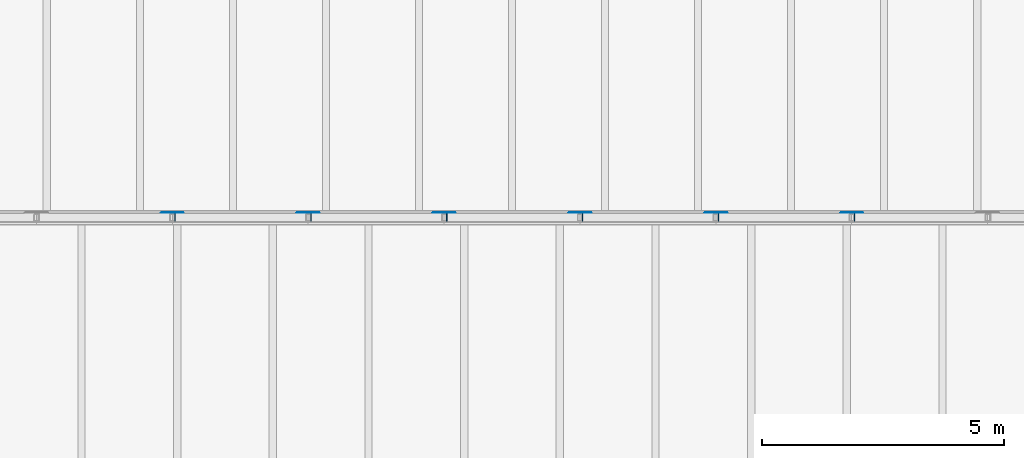
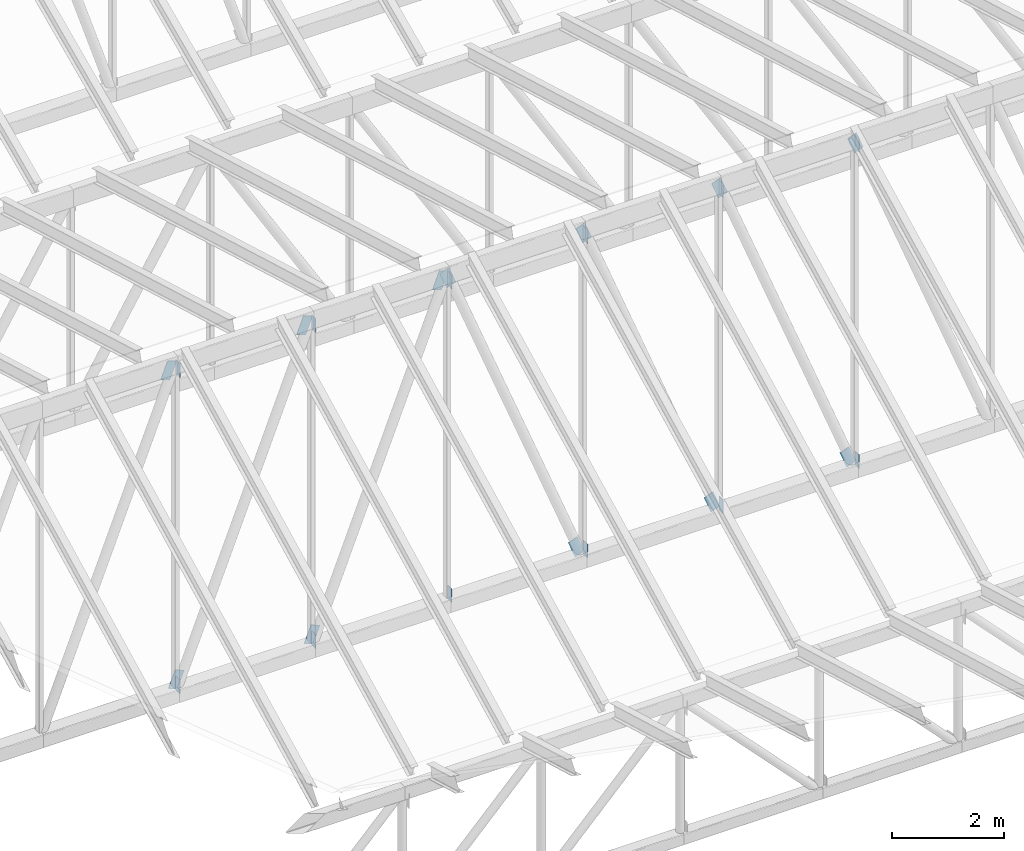
# One storey, part 50 of 68: 24 discrete accessories.
"""IFC4 building model written with IfcOpenShell, lengths in metres."""

from ifc_helpers import new_model, si_unit, direction, frame, origin, origin_2d, place, context, subcontext, project, spatial, rectangle, extrude, material, material_profile, profile_set, type_object, element, save


model = new_model("IFC4")

# Units and contexts
model_context = context("Model", 3, precision=1e-05, world=origin(), true_north=direction((0.0, 1.0)))
body_context = subcontext(model_context, "Body", "Model", "MODEL_VIEW")
ifc_project = project(units=[si_unit("LENGTHUNIT", "METRE"), si_unit("AREAUNIT", "SQUARE_METRE"), si_unit("VOLUMEUNIT", "CUBIC_METRE"), si_unit("PLANEANGLEUNIT", "RADIAN"), si_unit("MASSUNIT", "GRAM", prefix="KILO")], contexts=[model_context])

# Site, building, storey
site_placement = place(None, origin())
site = spatial("IfcSite", under=ifc_project, at=site_placement, CompositionType="ELEMENT")
building_placement = place(site_placement, origin())
building = spatial("IfcBuilding", under=site, at=building_placement, Name="Larchfold Concert Hall", CompositionType="ELEMENT")
storey_placement = place(building_placement, frame((0.0, 0.0, 28.800048828125)))
storey = spatial("IfcBuildingStorey", under=building, at=storey_placement, Name="L06", CompositionType="ELEMENT", Elevation=28.800048828125)

# Discrete accessories
ifc_material_1 = material(Name="Steel S355 galvanised bracket", Category="steel")
ifc_material_profile_1 = material_profile(ifc_material_1, rectangle(XDim=0.011962890625, YDim=0.14990234375, at=origin_2d()))
ifc_profile_set_1 = profile_set([ifc_material_profile_1], Name="Steel S355 galvanised bracket")
discrete_accessory_type_1 = type_object("IfcDiscreteAccessoryType", Name="Gusset plate 12x150", PredefinedType="BRACKET", material=ifc_profile_set_1)
for number, where, z_axis, x_axis, name in (
    (1, (35.6455078125, 76.800048828125, 7.199951171875), (0.0, 0.0, -1.0), (1.0, 0.0, 0.0), "Gusset plate GP0247"),
    (2, (35.6455078125, 76.800048828125, 0.300048828125), (0.0, 0.0, -1.0), (1.0, 0.0, 0.0), "Gusset plate GP0248"),
    (3, (38.44970703125, 76.800048828125, 7.199951171875), (0.0, 0.0, -1.0), (1.0, 0.0, 0.0), "Gusset plate GP0249"),
    (4, (38.44970703125, 76.800048828125, 0.300048828125), (0.0, 0.0, -1.0), (1.0, 0.0, 0.0), "Gusset plate GP0250"),
    (5, (41.25390625, 76.800048828125, 7.179931640625), (0.0, 0.0, -1.0), (1.0, 0.0, 0.0), "Gusset plate GP0251"),
    (6, (41.25390625, 76.800048828125, 0.320068359375), (0.0, 0.0, -1.0), (1.0, 0.0, 0.0), "Gusset plate GP0252"),
    (7, (44.05810546875, 76.800048828125, 7.179931640625), (0.0, 0.0, -1.0), (1.0, 0.0, 0.0), "Gusset plate GP0253"),
    (8, (44.05810546875, 76.800048828125, 0.320068359375), (0.0, 0.0, -1.0), (1.0, 0.0, 0.0), "Gusset plate GP0254"),
    (9, (46.8623046875, 76.800048828125, 7.199951171875), (0.0, 0.0, -1.0), (1.0, 0.0, 0.0), "Gusset plate GP0255"),
    (10, (46.8623046875, 76.800048828125, 0.300048828125), (0.0, 0.0, -1.0), (1.0, 0.0, 0.0), "Gusset plate GP0256"),
    (11, (49.66650390625, 76.800048828125, 7.199951171875), (0.0, 0.0, -1.0), (1.0, 0.0, 0.0), "Gusset plate GP0257"),
    (12, (49.66650390625, 76.800048828125, 0.300048828125), (0.0, 0.0, -1.0), (1.0, 0.0, 0.0), "Gusset plate GP0258"),
):
    element("IfcDiscreteAccessory", number, at=place(storey_placement, frame(where, z_axis=z_axis, x_axis=x_axis)), inside=storey, type_object=discrete_accessory_type_1, Name=name, PredefinedType="BRACKET", context=body_context, shape_type="SweptSolid", body=[
        extrude(rectangle(XDim=0.011962890625, YDim=0.14990234375, at=origin_2d()), origin(), (0.0, 0.0, 1.0), 0.300048828125),
    ])
ifc_material_2 = material(Name="Steel S355 galvanised bracket", Category="steel")
ifc_material_profile_2 = material_profile(ifc_material_2, rectangle(XDim=0.011962890625, YDim=0.199951171875, at=origin_2d()))
ifc_profile_set_2 = profile_set([ifc_material_profile_2], Name="Steel S355 galvanised bracket")
discrete_accessory_type_2 = type_object("IfcDiscreteAccessoryType", Name="Gusset plate 12x200", PredefinedType="BRACKET", material=ifc_profile_set_2)
for number, where, z_axis, x_axis, name in (
    (13, (35.441650390625, 76.90283203125, 6.8203125), (0.36290227793, 0.0, 0.931827203227), (0.0, 1.0, 0.0), "Gusset plate GP0282"),
    (14, (35.596923828125, 76.90283203125, 0.0185546875), (0.36290227793, 0.0, 0.931827203227), (0.0, 1.0, 0.0), "Gusset plate GP0283"),
    (15, (38.245849609375, 76.90283203125, 6.8203125), (0.36290227793, 0.0, 0.931827203227), (0.0, 1.0, 0.0), "Gusset plate GP0284"),
    (16, (38.401123046875, 76.90283203125, 0.0185546875), (0.36290227793, 0.0, 0.931827203227), (0.0, 1.0, 0.0), "Gusset plate GP0285"),
    (17, (41.050048828125, 76.90283203125, 6.8203125), (0.36290227793, 0.0, 0.931827203227), (0.0, 1.0, 0.0), "Gusset plate GP0286"),
    (18, (41.205322265625, 76.90283203125, 7.181396484375), (0.36290227793, 0.0, -0.931827203227), (0.0, 1.0, 0.0), "Gusset plate GP0287"),
    (19, (43.854248046875, 76.90283203125, 0.379638671875), (0.36290227793, 0.0, -0.931827203227), (0.0, 1.0, 0.0), "Gusset plate GP0288"),
    (20, (44.009521484375, 76.90283203125, 7.181396484375), (0.36290227793, 0.0, -0.931827203227), (0.0, 1.0, 0.0), "Gusset plate GP0289"),
    (21, (46.658447265625, 76.90283203125, 0.379638671875), (0.36290227793, 0.0, -0.931827203227), (0.0, 1.0, 0.0), "Gusset plate GP0290"),
    (22, (46.813720703125, 76.90283203125, 7.181396484375), (0.36290227793, 0.0, -0.931827203227), (0.0, 1.0, 0.0), "Gusset plate GP0291"),
    (23, (49.462646484375, 76.90283203125, 0.379638671875), (0.36290227793, 0.0, -0.931827203227), (0.0, 1.0, 0.0), "Gusset plate GP0292"),
    (24, (49.617919921875, 76.90283203125, 7.181396484375), (0.36290227793, 0.0, -0.931827203227), (0.0, 1.0, 0.0), "Gusset plate GP0293"),
):
    element("IfcDiscreteAccessory", number, at=place(storey_placement, frame(where, z_axis=z_axis, x_axis=x_axis)), inside=storey, type_object=discrete_accessory_type_2, Name=name, PredefinedType="BRACKET", context=body_context, shape_type="SweptSolid", body=[
        extrude(rectangle(XDim=0.011962890625, YDim=0.199951171875, at=origin_2d()), origin(), (0.0, 0.0, 1.0), 0.387451171875),
    ])

save(model, "model.ifc")
